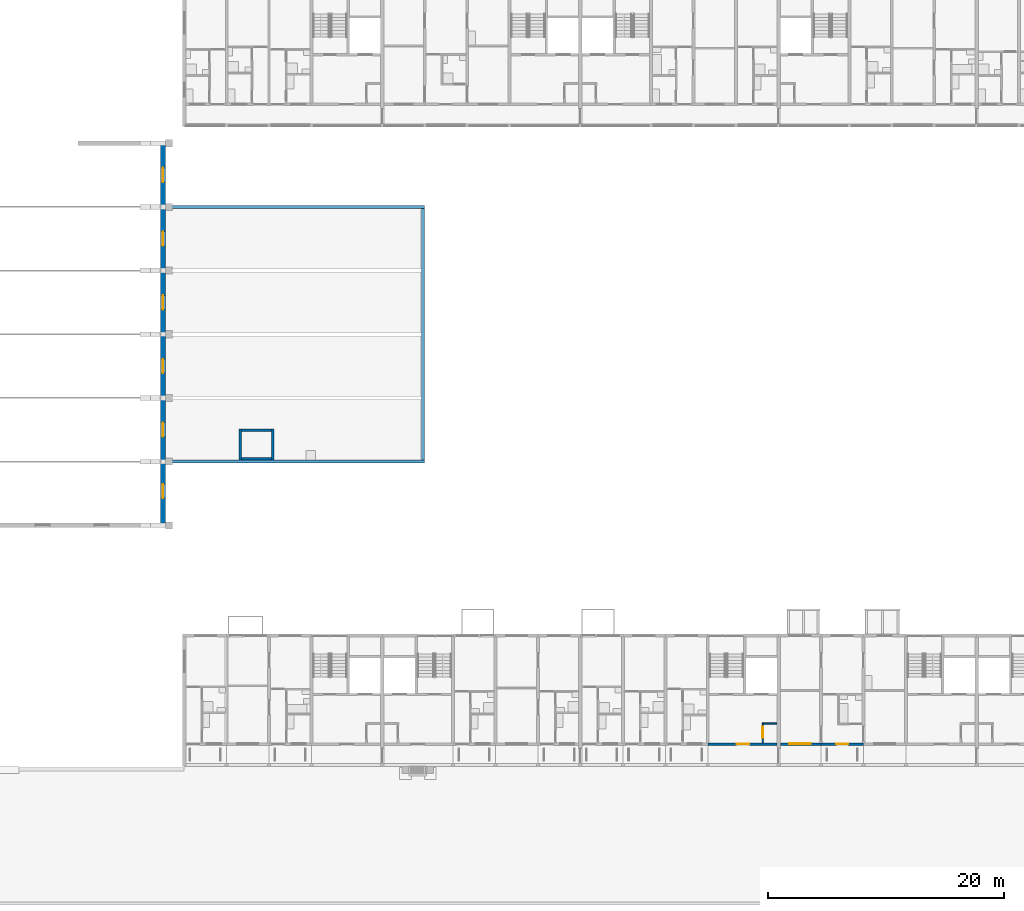
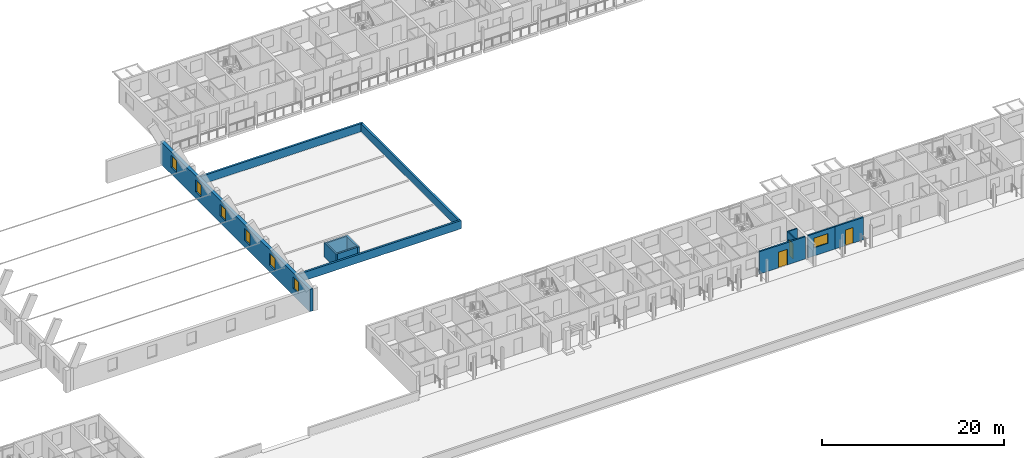
# One storey, part 61 of 115: 13 walls, 7 windows, 3 doors, 10 openings.
"""IFC4 building model written with IfcOpenShell, lengths in metres."""

import ifcopenshell
import ifcopenshell.guid

model = None  # the IFC model being written
_history = None  # IfcOwnerHistory: only IFC2X3 demands one
_inside = {}  # id of a spatial element -> (the spatial element, [elements in it])
_under = {}  # id of a project, library or spatial element -> (it, [spatial elements below it])
_declared = {}  # id of a project -> (the project, [libraries it declares])
_typed = {}  # id of a type object -> (the type object, [elements of that type])
_made_of = {}  # id of a material, layer set ... -> (it, [elements and type objects made of it])


def new_model(schema):
    """Start an empty IFC model of exactly this schema.

    Asked for "IFC4X3", IfcOpenShell would pick the latest addendum, in which some entities
    have other attributes; the version numbers below select the first issue.
    IFC2X3 requires an IfcOwnerHistory on every rooted entity: one is made here for all.
    """
    global model, _history
    if schema == "IFC4X3":
        model = ifcopenshell.file(schema_version=(4, 3, 0, 0))
    else:
        model = ifcopenshell.file(schema=schema)
    _inside.clear()
    _under.clear()
    _declared.clear()
    _typed.clear()
    _made_of.clear()
    _history = None
    if model.schema == "IFC2X3":
        org = make("IfcOrganization", Name="unknown")
        user = make(
            "IfcPersonAndOrganization",
            ThePerson=make("IfcPerson", FamilyName="unknown"),
            TheOrganization=org,
        )
        app = make(
            "IfcApplication",
            ApplicationDeveloper=org,
            Version="unknown",
            ApplicationFullName="unknown",
            ApplicationIdentifier="unknown",
        )
        _history = make(
            "IfcOwnerHistory",
            OwningUser=user,
            OwningApplication=app,
            ChangeAction="ADDED",
            CreationDate=0,
        )
    return model


def make(cls, **values):
    """One entity of the class cls with the attributes given. An attribute that is None is left unset."""
    return model.create_entity(
        cls, **{name: value for name, value in values.items() if value is not None}
    )


def rooted(cls, **values):
    """An entity with a GlobalId (a new one), such as an element, a storey or a relation."""
    return make(cls, GlobalId=ifcopenshell.guid.new(), OwnerHistory=_history, **values)


def si_unit(unit_type, name, prefix=None):
    """IfcSIUnit, for example si_unit("LENGTHUNIT", "METRE", prefix="MILLI")."""
    return make("IfcSIUnit", UnitType=unit_type, Prefix=prefix, Name=name)


def assignment(units):
    """IfcUnitAssignment: the units of a project."""
    return None if units is None else make("IfcUnitAssignment", Units=units)


def point(xyz):
    """IfcCartesianPoint."""
    return None if xyz is None else make("IfcCartesianPoint", Coordinates=xyz)


def direction(xyz):
    """IfcDirection."""
    return None if xyz is None else make("IfcDirection", DirectionRatios=xyz)


def frame(location, z_axis=None, x_axis=None):
    """IfcAxis2Placement3D, a coordinate frame: its origin and axes. An axis left out is left unset."""
    return make(
        "IfcAxis2Placement3D",
        Location=point(location),
        Axis=direction(z_axis),
        RefDirection=direction(x_axis),
    )


def frame_2d(location, x_axis=None):
    """IfcAxis2Placement2D, a coordinate frame in the plane: its origin and x axis."""
    return make(
        "IfcAxis2Placement2D", Location=point(location), RefDirection=direction(x_axis)
    )


def origin():
    """The frame at (0, 0, 0) with its axes left unset."""
    return frame((0.0, 0.0, 0.0))


def place(relative_to, where):
    """IfcLocalPlacement: puts the frame where relative to a parent placement (None: the world)."""
    return make(
        "IfcLocalPlacement", PlacementRelTo=relative_to, RelativePlacement=where
    )


def context(
    kind, dimensions, precision=None, world=None, true_north=None, identifier=None
):
    """IfcGeometricRepresentationContext, for example the 3D "Model" context."""
    return make(
        "IfcGeometricRepresentationContext",
        ContextIdentifier=identifier,
        ContextType=kind,
        CoordinateSpaceDimension=dimensions,
        Precision=precision,
        WorldCoordinateSystem=world,
        TrueNorth=true_north,
    )


def subcontext(parent, identifier, kind, view, scale=None):
    """IfcGeometricRepresentationSubContext, for example "Body" below "Model"."""
    return make(
        "IfcGeometricRepresentationSubContext",
        ContextIdentifier=identifier,
        ContextType=kind,
        ParentContext=parent,
        TargetScale=scale,
        TargetView=view,
    )


def project(units=None, contexts=None):
    """IfcProject with its units and contexts."""
    return rooted(
        "IfcProject",
        Name="project",
        RepresentationContexts=contexts,
        UnitsInContext=assignment(units),
    )


def spatial(cls, under=None, at=None, **own):
    """A site, building, storey or space (cls), placed at a placement, below another one or the project."""
    s = rooted(cls, ObjectPlacement=at, **own)
    if under is not None:
        _under.setdefault(under.id(), (under, []))[1].append(s)
    return s


def profile(cls, at=None, kind="AREA", **sizes):
    """A parametric profile (cls). Its sizes go by their IFC names, for example OverallWidth=200.0."""
    return make(cls, ProfileType=kind, Position=at, **sizes)


def rectangle(**sizes):
    """IfcRectangleProfileDef."""
    return profile("IfcRectangleProfileDef", **sizes)


def extrude(swept, where, along, depth):
    """IfcExtrudedAreaSolid: the profile swept, set in the frame where, extruded along a direction by depth."""
    return make(
        "IfcExtrudedAreaSolid",
        SweptArea=swept,
        Position=where,
        ExtrudedDirection=direction(along),
        Depth=depth,
    )


def shape(context_of_items, identifier, shape_type, items):
    """IfcShapeRepresentation: the items that make up one representation, for example the "Body"."""
    return make(
        "IfcShapeRepresentation",
        ContextOfItems=context_of_items,
        RepresentationIdentifier=identifier,
        RepresentationType=shape_type,
        Items=items,
    )


def material(Name=None, Category=None):
    """IfcMaterial."""
    return make("IfcMaterial", Name=Name, Category=Category)


def layer(
    of_material, thickness, ventilated=None, Name=None, Category=None, Priority=None
):
    """IfcMaterialLayer: one layer of a wall or slab, of a material (None: an air gap)."""
    return make(
        "IfcMaterialLayer",
        Material=of_material,
        LayerThickness=thickness,
        IsVentilated=ventilated,
        Name=Name,
        Category=Category,
        Priority=Priority,
    )


def layer_set(layers, Name=None):
    """IfcMaterialLayerSet."""
    return make("IfcMaterialLayerSet", MaterialLayers=layers, LayerSetName=Name)


def made_of(thing, what):
    """Note that an element or type object is made of a material, layer set ...; save() writes the relation."""
    if what is not None:
        _made_of.setdefault(what.id(), (what, []))[1].append(thing)
    return thing


def type_object(cls, material=None, **own):
    """A type object (cls), such as IfcWallType, which elements share."""
    return made_of(rooted(cls, **own), material)


def element(
    cls,
    number,
    at=None,
    inside=None,
    cuts=None,
    type_object=None,
    material=None,
    context=None,
    identifier="Body",
    shape_type=None,
    held_by="IfcProductDefinitionShape",
    body=None,
    shapes=None,
    **own,
):
    """One element of the class cls, such as IfcWall. Its Tag is "e" and its number.

    at: its placement. inside: the storey or other place that contains it. cuts: it is an
    opening in that element (IfcRelVoidsElement). A single representation is given by context,
    identifier, shape_type and body (its items); several are given by shapes. held_by: the class
    of the entity that holds the representations. save() writes the other relations.
    """
    e = rooted(cls, Tag="e%d" % number, ObjectPlacement=at, **own)
    if body is not None:
        shapes = [shape(context, identifier, shape_type, body)]
    if shapes is not None:
        e.Representation = make(held_by, Representations=shapes)
    if inside is not None:
        _inside.setdefault(inside.id(), (inside, []))[1].append(e)
    if cuts is not None:
        rooted(
            "IfcRelVoidsElement", RelatingBuildingElement=cuts, RelatedOpeningElement=e
        )
    if type_object is not None:
        _typed.setdefault(type_object.id(), (type_object, []))[1].append(e)
    return made_of(e, material)


def fill(opening, filler):
    """IfcRelFillsElement: the door or window that sits in an opening."""
    return rooted(
        "IfcRelFillsElement",
        RelatingOpeningElement=opening,
        RelatedBuildingElement=filler,
    )


def aggregate(whole, parts):
    """IfcRelAggregates: a whole, such as a stair, and the parts it consists of."""
    return rooted("IfcRelAggregates", RelatingObject=whole, RelatedObjects=parts)


def save(model, path):
    """Write the relations noted so far, then the file.

    IfcRelAggregates (storeys below a building ...), IfcRelContainedInSpatialStructure (elements
    in a storey), IfcRelDefinesByType, IfcRelAssociatesMaterial and IfcRelDeclares: one each for
    every whole, place, type object, material and project.
    """
    for whole, parts in _under.values():
        aggregate(whole, parts)
    for where, things in _inside.values():
        rooted(
            "IfcRelContainedInSpatialStructure",
            RelatedElements=things,
            RelatingStructure=where,
        )
    for kind, things in _typed.values():
        rooted("IfcRelDefinesByType", RelatedObjects=things, RelatingType=kind)
    for what, things in _made_of.values():
        rooted("IfcRelAssociatesMaterial", RelatedObjects=things, RelatingMaterial=what)
    for by, libraries in _declared.values():
        rooted("IfcRelDeclares", RelatingContext=by, RelatedDefinitions=libraries)
    model.write(path)


model = new_model("IFC4")

# Units and contexts
model_context = context("Model", 3, precision=1e-05, world=origin(), true_north=direction((0.0, 1.0)))
body_context = subcontext(model_context, "Body", "Model", "MODEL_VIEW")
ifc_project = project(units=[si_unit("LENGTHUNIT", "METRE"), si_unit("AREAUNIT", "SQUARE_METRE"), si_unit("VOLUMEUNIT", "CUBIC_METRE"), si_unit("PLANEANGLEUNIT", "RADIAN"), si_unit("MASSUNIT", "GRAM", prefix="KILO")], contexts=[model_context])

# Site, building, storey
site_placement = place(None, origin())
site = spatial("IfcSite", under=ifc_project, at=site_placement, CompositionType="ELEMENT")
building_placement = place(site_placement, origin())
building = spatial("IfcBuilding", under=site, at=building_placement, Name="Ridgestep Commons", CompositionType="ELEMENT")
storey_placement = place(building_placement, frame((0.0, 0.0, 6.0)))
storey = spatial("IfcBuildingStorey", under=building, at=storey_placement, Name="L02", CompositionType="ELEMENT", Elevation=6.0)

# Walls
ifc_material_1 = material(Name="Concrete C30/37", Category="concrete")
ifc_layer_1 = layer(ifc_material_1, 0.199951171875)
ifc_layer_set_1 = layer_set([ifc_layer_1], Name="Community exposed shaft wall 200")
wall_type_1 = type_object("IfcWallType", Name="Community exposed shaft wall 200", PredefinedType="SOLIDWALL", material=ifc_layer_set_1)
for number, where, z_axis, x_axis, name in (
    (1, (151.64990234375, 40.25, 0.0), (0.0, 0.0, 1.0), (1.0, 0.0, 0.0), "Community exposed shaft wall 200"),
    (2, (151.64990234375, 37.85009765625, 0.0), (0.0, 0.0, 1.0), (1.0, 0.0, 0.0), "Community exposed shaft wall 200"),
):
    element("IfcWall", number, at=place(storey_placement, frame(where, z_axis=z_axis, x_axis=x_axis)), inside=storey, type_object=wall_type_1, Name=name, PredefinedType="SOLIDWALL", context=body_context, shape_type="SweptSolid", body=[
        extrude(rectangle(XDim=2.550048828125, YDim=0.199951171875, at=frame_2d((1.27490234375, 0.0))), origin(), (0.0, 0.0, 1.0), 1.89990234375),
    ])
for number, where, z_axis, x_axis, name in (
    (3, (151.550048828125, 37.75, 0.0), (0.0, 0.0, 1.0), (0.0, 1.0, 0.0), "Community exposed shaft wall 200"),
    (4, (154.300048828125, 37.75, 0.0), (0.0, 0.0, 1.0), (0.0, 1.0, 0.0), "Community exposed shaft wall 200"),
):
    element("IfcWall", number, at=place(storey_placement, frame(where, z_axis=z_axis, x_axis=x_axis)), inside=storey, type_object=wall_type_1, Name=name, PredefinedType="SOLIDWALL", context=body_context, shape_type="SweptSolid", body=[
        extrude(rectangle(XDim=2.60009765625, YDim=0.199951171875, at=frame_2d((1.300048828125, 0.0))), origin(), (0.0, 0.0, 1.0), 1.89990234375),
    ])
ifc_material_2 = material(Name="Precast concrete C40/50", Category="concrete")
ifc_layer_2 = layer(ifc_material_2, 0.25)
ifc_layer_set_2 = layer_set([ifc_layer_2], Name="Community parapet 250")
wall_type_2 = type_object("IfcWallType", Name="Community parapet 250", PredefinedType="PARAPET", material=ifc_layer_set_2)
for number, where, z_axis, x_axis, name in (
    (5, (145.199951171875, 37.60009765625, 0.0), (0.0, 0.0, 1.0), (1.0, 0.0, 0.0), "Community parapet 250"),
    (6, (145.199951171875, 59.199951171875, 0.0), (0.0, 0.0, 1.0), (1.0, 0.0, 0.0), "Community parapet 250"),
):
    element("IfcWall", number, at=place(storey_placement, frame(where, z_axis=z_axis, x_axis=x_axis)), inside=storey, type_object=wall_type_2, Name=name, PredefinedType="PARAPET", context=body_context, shape_type="SweptSolid", body=[
        extrude(rectangle(XDim=22.0, YDim=0.25, at=frame_2d((11.0, 0.0))), origin(), (0.0, 0.0, 1.0), 1.10009765625),
    ])
wall_1_placement = place(storey_placement, frame((167.050048828125, 37.72509765625, 0.0), z_axis=(0.0, 0.0, 1.0), x_axis=(0.0, 1.0, 0.0)))
element("IfcWall", 7, at=wall_1_placement, inside=storey, type_object=wall_type_2, Name="Community parapet 250", PredefinedType="PARAPET", context=body_context, shape_type="SweptSolid", body=[
    extrude(rectangle(XDim=21.349853515625, YDim=0.25, at=frame_2d((10.6748046875, 0.0))), origin(), (0.0, 0.0, 1.0), 1.10009765625),
])

# Wall, opening, door
ifc_material_3 = material(Name="Concrete C30/37", Category="concrete")
ifc_layer_3 = layer(ifc_material_3, 0.199951171875)
ifc_layer_set_3 = layer_set([ifc_layer_3], Name="Core south wall 200")
wall_type_3 = type_object("IfcWallType", Name="Core south wall 200", PredefinedType="SHEAR", material=ifc_layer_set_3)
wall_2_placement = place(storey_placement, frame((191.199951171875, 13.64990234375, 0.0), z_axis=(0.0, 0.0, 1.0), x_axis=(1.0, 0.0, 0.0)))
wall_2 = element("IfcWall", 8, at=wall_2_placement, inside=storey, type_object=wall_type_3, Name="Core south wall D3C L02", PredefinedType="SHEAR", context=body_context, shape_type="SweptSolid", body=[
    extrude(rectangle(XDim=5.85009765625, YDim=0.199951171875, at=frame_2d((2.925048828125, 0.0))), origin(), (0.0, 0.0, 1.0), 3.0),
])
opening_1_placement = place(wall_2_placement, frame((2.4375, 0.0, 0.0)))
opening_1 = element("IfcOpeningElement", 9, at=opening_1_placement, cuts=wall_2, Name="Opening D3C/02/1", PredefinedType="OPENING", context=body_context, shape_type="SweptSolid", body=[
    extrude(rectangle(XDim=1.10009765625, YDim=2.10009765625, at=frame_2d((0.550048828125, 1.050048828125))), frame((0.0, 0.10986328125, 0.0), z_axis=(0.0, -1.0, 0.0), x_axis=(1.0, 0.0, 0.0)), (0.0, 0.0, 1.0), 0.219970703125),
])
ifc_material_4 = material(Name="Steel fire door", Category="steel")
door_type_1 = type_object("IfcDoorType", Name="Lobby door 1100 x 2100 FD60", OperationType="NOTDEFINED", PredefinedType="DOOR", material=ifc_material_4)
door_1_placement = place(opening_1_placement, origin())
door_1 = element("IfcDoor", 10, at=door_1_placement, inside=storey, type_object=door_type_1, Name="Lobby door D3C/02/1", OperationType="SINGLE_SWING_LEFT", OverallHeight=2.10009765625, OverallWidth=1.10009765625, PredefinedType="DOOR", context=body_context, shape_type="SweptSolid", body=[
    extrude(rectangle(XDim=1.10009765625, YDim=2.10009765625, at=frame_2d((0.550048828125, 1.050048828125))), frame((0.0, 0.02490234375, 0.0), z_axis=(0.0, -1.0, 0.0), x_axis=(1.0, 0.0, 0.0)), (0.0, 0.0, 1.0), 0.050048828125),
])
fill(opening_1, door_1)

ifc_material_5 = material(Name="Concrete C30/37", Category="concrete")
ifc_layer_4 = layer(ifc_material_5, 0.1201171875)
ifc_layer_set_4 = layer_set([ifc_layer_4], Name="Core wall 120")
wall_type_4 = type_object("IfcWallType", Name="Core wall 120", PredefinedType="SHEAR", material=ifc_layer_set_4)
wall_3_placement = place(storey_placement, frame((195.860107421875, 13.75, 0.0), z_axis=(0.0, 0.0, 1.0), x_axis=(0.0, 1.0, 0.0)))
wall_3 = element("IfcWall", 11, at=wall_3_placement, inside=storey, type_object=wall_type_4, Name="Core riser w wall D3C L02", PredefinedType="SHEAR", context=body_context, shape_type="SweptSolid", body=[
    extrude(rectangle(XDim=1.719970703125, YDim=0.1201171875, at=frame_2d((0.85986328125, 0.0))), origin(), (0.0, 0.0, 1.0), 3.0),
])
opening_2_placement = place(wall_3_placement, frame((0.449951171875, 0.0, 0.0)))
opening_2 = element("IfcOpeningElement", 12, at=opening_2_placement, cuts=wall_3, Name="Opening D3C/02/4", PredefinedType="OPENING", context=body_context, shape_type="SweptSolid", body=[
    extrude(rectangle(XDim=0.89990234375, YDim=2.10009765625, at=frame_2d((0.449951171875, 1.050048828125))), frame((0.0, 0.070068359375, 0.0), z_axis=(0.0, -1.0, 0.0), x_axis=(1.0, 0.0, 0.0)), (0.0, 0.0, 1.0), 0.14013671875),
])
ifc_material_6 = material(Name="Steel fire door", Category="steel")
door_type_2 = type_object("IfcDoorType", Name="Riser door 900 x 2100 FD60", OperationType="NOTDEFINED", PredefinedType="DOOR", material=ifc_material_6)
door_2_placement = place(opening_2_placement, origin())
door_2 = element("IfcDoor", 13, at=door_2_placement, inside=storey, type_object=door_type_2, Name="Riser door D3C/02/4", OperationType="SINGLE_SWING_LEFT", OverallHeight=2.10009765625, OverallWidth=0.89990234375, PredefinedType="DOOR", context=body_context, shape_type="SweptSolid", body=[
    extrude(rectangle(XDim=0.89990234375, YDim=2.10009765625, at=frame_2d((0.449951171875, 1.050048828125))), frame((0.0, 0.02490234375, 0.0), z_axis=(0.0, -1.0, 0.0), x_axis=(1.0, 0.0, 0.0)), (0.0, 0.0, 1.0), 0.050048828125),
])
fill(opening_2, door_2)

# Wall
wall_4_placement = place(storey_placement, frame((195.919921875, 15.409912109375, 0.0), z_axis=(0.0, 0.0, 1.0), x_axis=(1.0, 0.0, 0.0)))
element("IfcWall", 14, at=wall_4_placement, inside=storey, type_object=wall_type_4, Name="Core riser n wall D3C L02", PredefinedType="SHEAR", context=body_context, shape_type="SweptSolid", body=[
    extrude(rectangle(XDim=1.130126953125, YDim=0.1201171875, at=frame_2d((0.56494140625, 0.0))), origin(), (0.0, 0.0, 1.0), 3.0),
])

# Wall, openings, windows
ifc_material_7 = material(Name="Precast concrete C40/50", Category="concrete")
ifc_layer_5 = layer(ifc_material_7, 0.39990234375)
ifc_layer_set_5 = layer_set([ifc_layer_5], Name="Hall wall 400")
wall_type_5 = type_object("IfcWallType", Name="Hall wall 400", PredefinedType="SOLIDWALL", material=ifc_layer_set_5)
wall_5_placement = place(storey_placement, frame((145.0, 32.0, 0.0), z_axis=(0.0, 0.0, 1.0), x_axis=(0.0, 1.0, 0.0)))
wall_5 = element("IfcWall", 15, at=wall_5_placement, inside=storey, type_object=wall_type_5, Name="Hall wall 400", PredefinedType="SOLIDWALL", context=body_context, shape_type="SweptSolid", body=[
    extrude(rectangle(XDim=32.800048828125, YDim=0.39990234375, at=frame_2d((16.39990234375, 0.0))), origin(), (0.0, 0.0, 1.0), 3.0),
])
opening_3_placement = place(wall_5_placement, frame((2.5, 0.0, 0.89990234375)))
opening_3 = element("IfcOpeningElement", 16, at=opening_3_placement, cuts=wall_5, Name="Opening WK6", PredefinedType="OPENING", context=body_context, shape_type="SweptSolid", body=[
    extrude(rectangle(XDim=1.199951171875, YDim=1.60009765625, at=frame_2d((0.60009765625, 0.800048828125))), frame((0.0, 0.2099609375, 0.0), z_axis=(0.0, -1.0, 0.0), x_axis=(1.0, 0.0, 0.0)), (0.0, 0.0, 1.0), 0.419921875),
])
opening_4_placement = place(wall_5_placement, frame((29.300048828125, 0.0, 0.89990234375)))
opening_4 = element("IfcOpeningElement", 17, at=opening_4_placement, cuts=wall_5, Name="Opening WK6", PredefinedType="OPENING", context=body_context, shape_type="SweptSolid", body=[
    extrude(rectangle(XDim=1.199951171875, YDim=1.60009765625, at=frame_2d((0.60009765625, 0.800048828125))), frame((0.0, 0.2099609375, 0.0), z_axis=(0.0, -1.0, 0.0), x_axis=(1.0, 0.0, 0.0)), (0.0, 0.0, 1.0), 0.419921875),
])
opening_5_placement = place(wall_5_placement, frame((7.699951171875, 0.0, 0.89990234375)))
opening_5 = element("IfcOpeningElement", 18, at=opening_5_placement, cuts=wall_5, Name="Opening WK6", PredefinedType="OPENING", context=body_context, shape_type="SweptSolid", body=[
    extrude(rectangle(XDim=1.199951171875, YDim=1.60009765625, at=frame_2d((0.60009765625, 0.800048828125))), frame((0.0, 0.2099609375, 0.0), z_axis=(0.0, -1.0, 0.0), x_axis=(1.0, 0.0, 0.0)), (0.0, 0.0, 1.0), 0.419921875),
])
opening_6_placement = place(wall_5_placement, frame((13.10009765625, 0.0, 0.89990234375)))
opening_6 = element("IfcOpeningElement", 19, at=opening_6_placement, cuts=wall_5, Name="Opening WK6", PredefinedType="OPENING", context=body_context, shape_type="SweptSolid", body=[
    extrude(rectangle(XDim=1.199951171875, YDim=1.60009765625, at=frame_2d((0.60009765625, 0.800048828125))), frame((0.0, 0.2099609375, 0.0), z_axis=(0.0, -1.0, 0.0), x_axis=(1.0, 0.0, 0.0)), (0.0, 0.0, 1.0), 0.419921875),
])
opening_7_placement = place(wall_5_placement, frame((18.5, 0.0, 0.89990234375)))
opening_7 = element("IfcOpeningElement", 20, at=opening_7_placement, cuts=wall_5, Name="Opening WK6", PredefinedType="OPENING", context=body_context, shape_type="SweptSolid", body=[
    extrude(rectangle(XDim=1.199951171875, YDim=1.60009765625, at=frame_2d((0.60009765625, 0.800048828125))), frame((0.0, 0.2099609375, 0.0), z_axis=(0.0, -1.0, 0.0), x_axis=(1.0, 0.0, 0.0)), (0.0, 0.0, 1.0), 0.419921875),
])
opening_8_placement = place(wall_5_placement, frame((23.89990234375, 0.0, 0.89990234375)))
opening_8 = element("IfcOpeningElement", 21, at=opening_8_placement, cuts=wall_5, Name="Opening WK6", PredefinedType="OPENING", context=body_context, shape_type="SweptSolid", body=[
    extrude(rectangle(XDim=1.199951171875, YDim=1.60009765625, at=frame_2d((0.60009765625, 0.800048828125))), frame((0.0, 0.2099609375, 0.0), z_axis=(0.0, -1.0, 0.0), x_axis=(1.0, 0.0, 0.0)), (0.0, 0.0, 1.0), 0.419921875),
])
ifc_material_8 = material(Name="Aluminium and glass", Category="aluminium")
window_type_1 = type_object("IfcWindowType", Name="Community high window 1200 x 1600", PartitioningType="SINGLE_PANEL", PredefinedType="WINDOW", material=ifc_material_8)
window_1_placement = place(opening_3_placement, origin())
window_1 = element("IfcWindow", 22, at=window_1_placement, inside=storey, type_object=window_type_1, Name="Community high window 1200 x 1600", OverallHeight=1.60009765625, OverallWidth=1.199951171875, PartitioningType="SINGLE_PANEL", PredefinedType="WINDOW", context=body_context, shape_type="SweptSolid", body=[
    extrude(rectangle(XDim=1.199951171875, YDim=1.60009765625, at=frame_2d((0.60009765625, 0.800048828125))), frame((0.0, 0.030029296875, 0.0), z_axis=(0.0, -1.0, 0.0), x_axis=(1.0, 0.0, 0.0)), (0.0, 0.0, 1.0), 0.06005859375),
])
fill(opening_3, window_1)
window_2_placement = place(opening_4_placement, origin())
window_2 = element("IfcWindow", 23, at=window_2_placement, inside=storey, type_object=window_type_1, Name="Community high window 1200 x 1600", OverallHeight=1.60009765625, OverallWidth=1.199951171875, PartitioningType="SINGLE_PANEL", PredefinedType="WINDOW", context=body_context, shape_type="SweptSolid", body=[
    extrude(rectangle(XDim=1.199951171875, YDim=1.60009765625, at=frame_2d((0.60009765625, 0.800048828125))), frame((0.0, 0.030029296875, 0.0), z_axis=(0.0, -1.0, 0.0), x_axis=(1.0, 0.0, 0.0)), (0.0, 0.0, 1.0), 0.06005859375),
])
fill(opening_4, window_2)
window_3_placement = place(opening_5_placement, origin())
window_3 = element("IfcWindow", 24, at=window_3_placement, inside=storey, type_object=window_type_1, Name="Community high window 1200 x 1600", OverallHeight=1.60009765625, OverallWidth=1.199951171875, PartitioningType="SINGLE_PANEL", PredefinedType="WINDOW", context=body_context, shape_type="SweptSolid", body=[
    extrude(rectangle(XDim=1.199951171875, YDim=1.60009765625, at=frame_2d((0.60009765625, 0.800048828125))), frame((0.0, 0.030029296875, 0.0), z_axis=(0.0, -1.0, 0.0), x_axis=(1.0, 0.0, 0.0)), (0.0, 0.0, 1.0), 0.06005859375),
])
fill(opening_5, window_3)
window_4_placement = place(opening_6_placement, origin())
window_4 = element("IfcWindow", 25, at=window_4_placement, inside=storey, type_object=window_type_1, Name="Community high window 1200 x 1600", OverallHeight=1.60009765625, OverallWidth=1.199951171875, PartitioningType="SINGLE_PANEL", PredefinedType="WINDOW", context=body_context, shape_type="SweptSolid", body=[
    extrude(rectangle(XDim=1.199951171875, YDim=1.60009765625, at=frame_2d((0.60009765625, 0.800048828125))), frame((0.0, 0.030029296875, 0.0), z_axis=(0.0, -1.0, 0.0), x_axis=(1.0, 0.0, 0.0)), (0.0, 0.0, 1.0), 0.06005859375),
])
fill(opening_6, window_4)
window_5_placement = place(opening_7_placement, origin())
window_5 = element("IfcWindow", 26, at=window_5_placement, inside=storey, type_object=window_type_1, Name="Community high window 1200 x 1600", OverallHeight=1.60009765625, OverallWidth=1.199951171875, PartitioningType="SINGLE_PANEL", PredefinedType="WINDOW", context=body_context, shape_type="SweptSolid", body=[
    extrude(rectangle(XDim=1.199951171875, YDim=1.60009765625, at=frame_2d((0.60009765625, 0.800048828125))), frame((0.0, 0.030029296875, 0.0), z_axis=(0.0, -1.0, 0.0), x_axis=(1.0, 0.0, 0.0)), (0.0, 0.0, 1.0), 0.06005859375),
])
fill(opening_7, window_5)
window_6_placement = place(opening_8_placement, origin())
window_6 = element("IfcWindow", 27, at=window_6_placement, inside=storey, type_object=window_type_1, Name="Community high window 1200 x 1600", OverallHeight=1.60009765625, OverallWidth=1.199951171875, PartitioningType="SINGLE_PANEL", PredefinedType="WINDOW", context=body_context, shape_type="SweptSolid", body=[
    extrude(rectangle(XDim=1.199951171875, YDim=1.60009765625, at=frame_2d((0.60009765625, 0.800048828125))), frame((0.0, 0.030029296875, 0.0), z_axis=(0.0, -1.0, 0.0), x_axis=(1.0, 0.0, 0.0)), (0.0, 0.0, 1.0), 0.06005859375),
])
fill(opening_8, window_6)

# Wall, opening, window
ifc_material_9 = material(Name="Precast concrete C40/50", Category="concrete")
ifc_layer_6 = layer(ifc_material_9, 0.199951171875)
ifc_layer_set_6 = layer_set([ifc_layer_6], Name="South facade panel 200")
wall_type_6 = type_object("IfcWallType", Name="South facade panel 200", PredefinedType="SOLIDWALL", material=ifc_layer_set_6)
wall_6_placement = place(storey_placement, frame((197.35009765625, 13.64990234375, 0.0), z_axis=(0.0, 0.0, 1.0), x_axis=(1.0, 0.0, 0.0)))
wall_6 = element("IfcWall", 28, at=wall_6_placement, inside=storey, type_object=wall_type_6, Name="South panel D4T1 L02", PredefinedType="SOLIDWALL", context=body_context, shape_type="SweptSolid", body=[
    extrude(rectangle(XDim=3.449951171875, YDim=0.199951171875, at=frame_2d((1.72509765625, 0.0))), origin(), (0.0, 0.0, 1.0), 3.0),
])
opening_9_placement = place(wall_6_placement, frame((0.762451171875, 0.0, 1.10009765625)))
opening_9 = element("IfcOpeningElement", 29, at=opening_9_placement, cuts=wall_6, Name="Opening W18", PredefinedType="OPENING", context=body_context, shape_type="SweptSolid", body=[
    extrude(rectangle(XDim=1.800048828125, YDim=1.300048828125, at=frame_2d((0.89990234375, 0.64990234375))), frame((0.0, 0.10986328125, 0.0), z_axis=(0.0, -1.0, 0.0), x_axis=(1.0, 0.0, 0.0)), (0.0, 0.0, 1.0), 0.219970703125),
])
ifc_material_10 = material(Name="Aluminium 6063-T6 and glass", Category="aluminium")
window_type_2 = type_object("IfcWindowType", Name="Flat window 1800 x 1300", PartitioningType="DOUBLE_PANEL_VERTICAL", PredefinedType="WINDOW", material=ifc_material_10)
window_7_placement = place(opening_9_placement, origin())
window_7 = element("IfcWindow", 30, at=window_7_placement, inside=storey, type_object=window_type_2, Name="Window D4-02a 1", OverallHeight=1.300048828125, OverallWidth=1.800048828125, PartitioningType="SINGLE_PANEL", PredefinedType="WINDOW", context=body_context, shape_type="SweptSolid", body=[
    extrude(rectangle(XDim=1.800048828125, YDim=1.300048828125, at=frame_2d((0.89990234375, 0.64990234375))), frame((0.0, 0.06005859375, 0.0), z_axis=(0.0, -1.0, 0.0), x_axis=(1.0, 0.0, 0.0)), (0.0, 0.0, 1.0), 0.06005859375),
])
fill(opening_9, window_7)

# Wall, opening, door
wall_7_placement = place(storey_placement, frame((200.800048828125, 13.64990234375, 0.0), z_axis=(0.0, 0.0, 1.0), x_axis=(1.0, 0.0, 0.0)))
wall_7 = element("IfcWall", 31, at=wall_7_placement, inside=storey, type_object=wall_type_6, Name="South panel D4T2 L02", PredefinedType="SOLIDWALL", context=body_context, shape_type="SweptSolid", body=[
    extrude(rectangle(XDim=3.599853515625, YDim=0.199951171875, at=frame_2d((1.7998046875, 0.0))), origin(), (0.0, 0.0, 1.0), 3.0),
])
opening_10_placement = place(wall_7_placement, frame((1.300048828125, 0.0, 0.0)))
opening_10 = element("IfcOpeningElement", 32, at=opening_10_placement, cuts=wall_7, Name="Opening D4-02a/1", PredefinedType="OPENING", context=body_context, shape_type="SweptSolid", body=[
    extrude(rectangle(XDim=1.0, YDim=2.10009765625, at=frame_2d((0.5, 1.050048828125))), frame((0.0, 0.10986328125, 0.0), z_axis=(0.0, -1.0, 0.0), x_axis=(1.0, 0.0, 0.0)), (0.0, 0.0, 1.0), 0.219970703125),
])
ifc_material_11 = material(Name="Timber door leaf", Category="wood")
door_type_3 = type_object("IfcDoorType", Name="Flat entrance door 1000 x 2100 FD30S", OperationType="NOTDEFINED", PredefinedType="DOOR", material=ifc_material_11)
door_3_placement = place(opening_10_placement, origin())
door_3 = element("IfcDoor", 33, at=door_3_placement, inside=storey, type_object=door_type_3, Name="Flat entrance door D4-02a/1", OperationType="SINGLE_SWING_LEFT", OverallHeight=2.10009765625, OverallWidth=1.0, PredefinedType="DOOR", context=body_context, shape_type="SweptSolid", body=[
    extrude(rectangle(XDim=1.0, YDim=2.10009765625, at=frame_2d((0.5, 1.050048828125))), frame((0.0, 0.02490234375, 0.0), z_axis=(0.0, -1.0, 0.0), x_axis=(1.0, 0.0, 0.0)), (0.0, 0.0, 1.0), 0.050048828125),
])
fill(opening_10, door_3)

save(model, "model.ifc")
